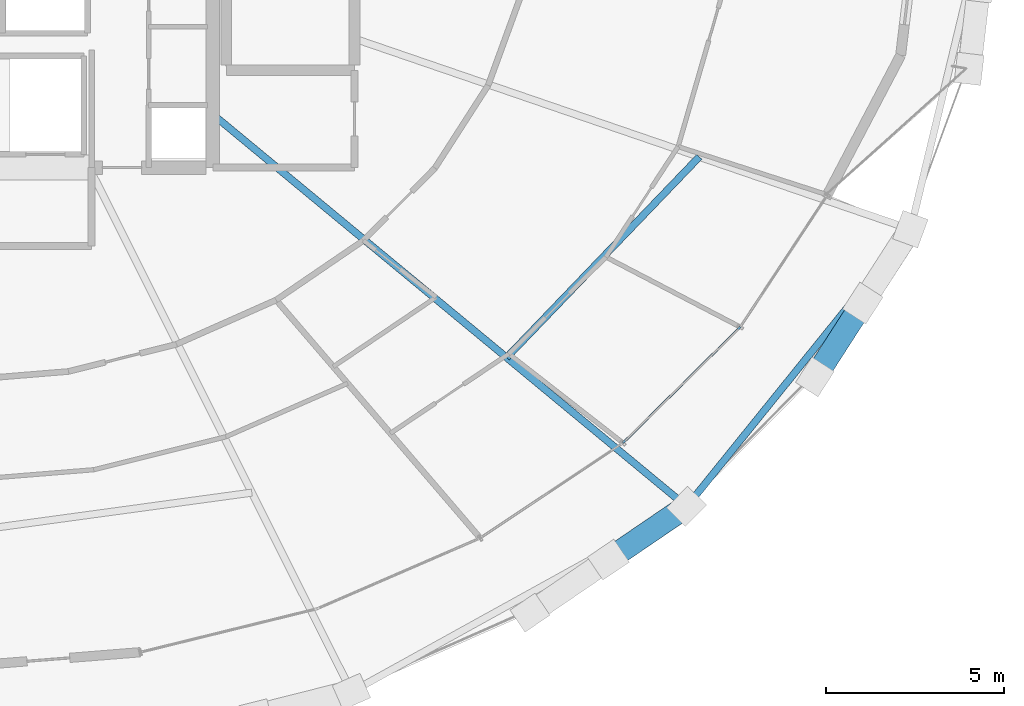
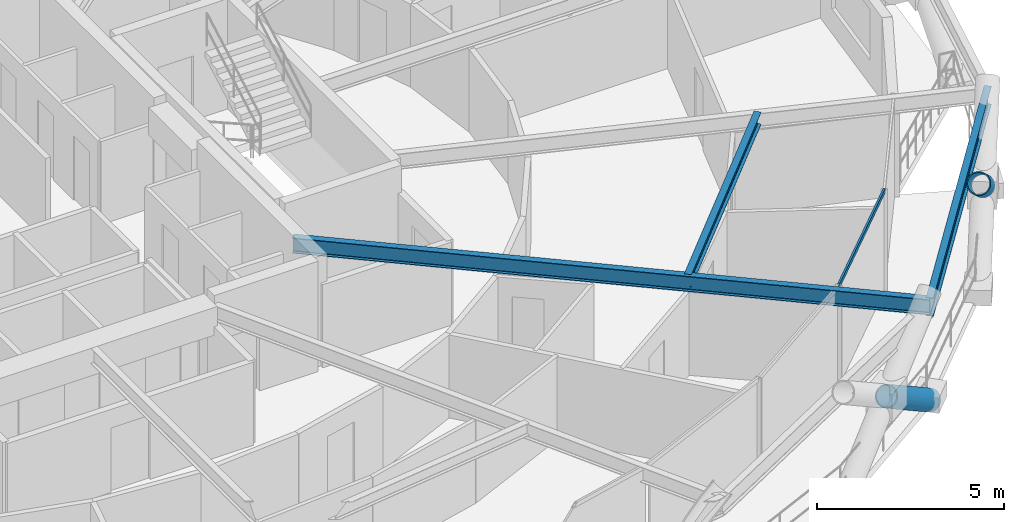
# One storey, part 9 of 19: 3 beams, 3 members, 1 element without a shape of its own.
"""IFC4 building model written with IfcOpenShell, lengths in metres."""

from ifc_helpers import new_model, si_unit, direction, frame, origin, origin_2d, place, context, subcontext, project, spatial, hollow_rectangle, hollow_circle, i_section, extrude, material, layer, layer_set, material_profile, profile_set, type_object, element, aggregate, save


model = new_model("IFC4")

# Units and contexts
model_context = context("Model", 3, precision=1e-05, world=origin(), true_north=direction((0.0, 1.0)))
body_context = subcontext(model_context, "Body", "Model", "MODEL_VIEW")
ifc_project = project(units=[si_unit("LENGTHUNIT", "METRE"), si_unit("AREAUNIT", "SQUARE_METRE"), si_unit("VOLUMEUNIT", "CUBIC_METRE"), si_unit("PLANEANGLEUNIT", "RADIAN"), si_unit("MASSUNIT", "GRAM", prefix="KILO")], contexts=[model_context])

# Site, building, storey
site_placement = place(None, origin())
site = spatial("IfcSite", under=ifc_project, at=site_placement, CompositionType="ELEMENT")
building_placement = place(site_placement, origin())
building = spatial("IfcBuilding", under=site, at=building_placement, Name="Veldorina Hangang Commons", CompositionType="ELEMENT")
storey_placement = place(building_placement, frame((0.0, 0.0, 77.199951171875)))
storey = spatial("IfcBuildingStorey", under=building, at=storey_placement, Name="L19", CompositionType="ELEMENT", Elevation=77.199951171875)

# Beams
ifc_material_1 = material(Name="Steel SM420-TMC", Category="steel")
ifc_material_profile_1 = material_profile(ifc_material_1, i_section(OverallWidth=0.199951171875, OverallDepth=0.5, WebThickness=0.010009765625, FlangeThickness=0.01611328125, FilletRadius=0.01611328125, at=origin_2d()), Name="H-500x200x10x16")
ifc_profile_set_1 = profile_set([ifc_material_profile_1], Name="Steel SM420-TMC")
beam_type_1 = type_object("IfcBeamType", Name="BM-FG500", PredefinedType="BEAM", material=ifc_profile_set_1)
beam_1_placement = place(storey_placement, frame((39.199951171875, 18.04150390625, 3.090087890625), z_axis=(0.770399827966, -0.637561059876, 0.0), x_axis=(0.637561059876, 0.770399827966, 0.0)))
element("IfcBeam", 1, at=beam_1_placement, inside=storey, type_object=beam_type_1, Name="L19 radial floor girder 15", PredefinedType="BEAM", context=body_context, shape_type="SweptSolid", body=[
    extrude(i_section(OverallWidth=0.199951171875, OverallDepth=0.5, WebThickness=0.010009765625, FlangeThickness=0.01611328125, FilletRadius=0.01611328125, at=origin_2d()), origin(), (0.0, 0.0, 1.0), 17.2705078125),
])
ifc_material_2 = material(Name="Steel SM355-TMC", Category="steel")
ifc_material_profile_2 = material_profile(ifc_material_2, i_section(OverallWidth=0.199951171875, OverallDepth=0.39990234375, WebThickness=0.008056640625, FlangeThickness=0.012939453125, FilletRadius=0.012939453125, at=origin_2d()), Name="H-400x200x8x13")
ifc_profile_set_2 = profile_set([ifc_material_profile_2], Name="Steel SM355-TMC")
beam_type_2 = type_object("IfcBeamType", Name="BM-JST400", PredefinedType="JOIST", material=ifc_profile_set_2)
beam_2_placement = place(storey_placement, frame((47.44921875, 11.214599609375, 3.14013671875), z_axis=(0.692535731731, 0.721383573611, 0.0), x_axis=(-0.721383573611, 0.692535731731, 0.0)))
element("IfcBeam", 2, at=beam_2_placement, inside=storey, type_object=beam_type_2, Name="L19 secondary floor joist 15", PredefinedType="JOIST", context=body_context, shape_type="SweptSolid", body=[
    extrude(i_section(OverallWidth=0.199951171875, OverallDepth=0.39990234375, WebThickness=0.008056640625, FlangeThickness=0.012939453125, FilletRadius=0.012939453125, at=origin_2d()), origin(), (0.0, 0.0, 1.0), 7.811279296875),
])
ifc_material_profile_3 = material_profile(ifc_material_1, i_section(OverallWidth=0.199951171875, OverallDepth=0.60009765625, WebThickness=0.010986328125, FlangeThickness=0.01708984375, FilletRadius=0.01806640625, at=origin_2d()), Name="H-600x200x11x17")
ifc_profile_set_3 = profile_set([ifc_material_profile_3], Name="Steel SM420-TMC")
beam_type_3 = type_object("IfcBeamType", Name="BM-RB600", PredefinedType="BEAM", material=ifc_profile_set_3)
beam_3_placement = place(storey_placement, frame((52.505126953125, 7.030517578125, 3.0400390625), z_axis=(0.628184894651, 0.778064096416, 0.0), x_axis=(-0.778064096416, 0.628184894651, 0.0)))
element("IfcBeam", 3, at=beam_3_placement, inside=storey, type_object=beam_type_3, Name="L19 perimeter hoop ring beam 28", PredefinedType="BEAM", context=body_context, shape_type="SweptSolid", body=[
    extrude(i_section(OverallWidth=0.199951171875, OverallDepth=0.60009765625, WebThickness=0.010986328125, FlangeThickness=0.01708984375, FilletRadius=0.01806640625, at=origin_2d()), origin(), (0.0, 0.0, 1.0), 10.00634765625),
])

# Curtain wall, member
ifc_material_3 = material(Name="Glass Low-E Triple IGU", Category="glass")
ifc_layer = layer(ifc_material_3, 0.179931640625)
ifc_layer_set = layer_set([ifc_layer], Name="Glass Low-E Triple IGU")
curtain_wall_type = type_object("IfcCurtainWallType", Name="CW-SYS-Z1", PredefinedType="NOTDEFINED", material=ifc_layer_set)
curtain_wall_placement = place(storey_placement, origin())
curtain_wall = element("IfcCurtainWall", 4, at=curtain_wall_placement, inside=storey, type_object=curtain_wall_type, Name="L19 unitised curtain wall CW-L19-R2", PredefinedType="NOTDEFINED")
ifc_material_4 = material(Name="Aluminium Anodized AA6063-T6", Category="aluminium")
ifc_material_profile_4 = material_profile(ifc_material_4, hollow_rectangle(XDim=0.06005859375, YDim=0.139892578125, WallThickness=0.00341796875, at=origin_2d()), Name="ALU-RHS-140x60x3.5")
ifc_profile_set_4 = profile_set([ifc_material_profile_4], Name="Aluminium Anodized AA6063-T6")
member_type_1 = type_object("IfcMemberType", Name="CW-TRN-140", PredefinedType="USERDEFINED", material=ifc_profile_set_4)
member_1_placement = place(storey_placement, frame((50.717529296875, 8.818115234375, 3.260009765625), z_axis=(0.711261638718, 0.702927365585, 0.0), x_axis=(-0.702927365585, 0.711261638718, 0.0)))
member_1 = element("IfcMember", 5, at=member_1_placement, type_object=member_type_1, Name="CW-L19-R2 facet 4 transom 1", ObjectType="TRANSOM", PredefinedType="USERDEFINED", context=body_context, shape_type="SweptSolid", body=[
    extrude(hollow_rectangle(XDim=0.06005859375, YDim=0.139892578125, WallThickness=0.00341796875, at=origin_2d()), origin(), (0.0, 0.0, 1.0), 4.62841796875),
])
aggregate(curtain_wall, [member_1])

# Members
ifc_material_5 = material(Name="Steel SM460-TMC", Category="steel")
ifc_material_profile_5 = material_profile(ifc_material_5, hollow_circle(Radius=0.324951171875, WallThickness=0.031982421875, at=origin_2d()), Name="CHS-650x32")
ifc_profile_set_5 = profile_set([ifc_material_profile_5], Name="Steel SM460-TMC")
member_type_2 = type_object("IfcMemberType", Name="DG-CHS650", PredefinedType="BRACE", material=ifc_profile_set_5)
member_2_placement = place(storey_placement, frame((52.49951171875, 7.0361328125, 0.0), z_axis=(-0.683923389368, -0.466224903715, 0.561144488194), x_axis=(0.563265484119, -0.826275979561, 0.0)))
element("IfcMember", 6, at=member_2_placement, inside=storey, type_object=member_type_2, Name="L19 split perimeter diagrid lower brace 28", PredefinedType="BRACE", context=body_context, shape_type="SweptSolid", body=[
    extrude(hollow_circle(Radius=0.324951171875, WallThickness=0.031982421875, at=origin_2d()), origin(), (0.0, 0.0, 1.0), 3.207275390625),
])
member_3_placement = place(storey_placement, frame((57.448486328125, 12.7431640625, 1.7998046875), z_axis=(-0.43714812847, -0.679608758936, 0.589095449441), x_axis=(0.841033897246, -0.54098242456, 0.0)))
element("IfcMember", 7, at=member_3_placement, inside=storey, type_object=member_type_2, Name="L19 split perimeter diagrid upper brace 30", PredefinedType="BRACE", context=body_context, shape_type="SweptSolid", body=[
    extrude(hollow_circle(Radius=0.324951171875, WallThickness=0.031982421875, at=origin_2d()), origin(), (0.0, 0.0, 1.0), 3.055908203125),
])

save(model, "model.ifc")
